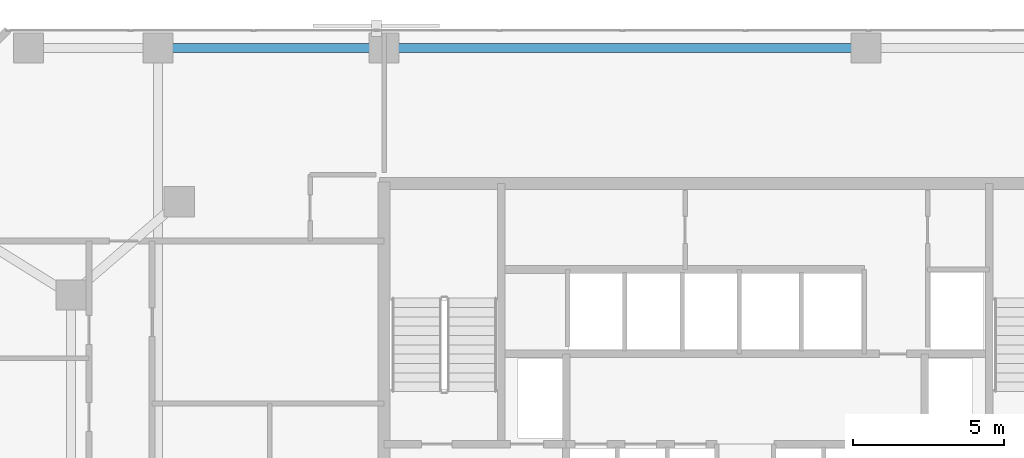
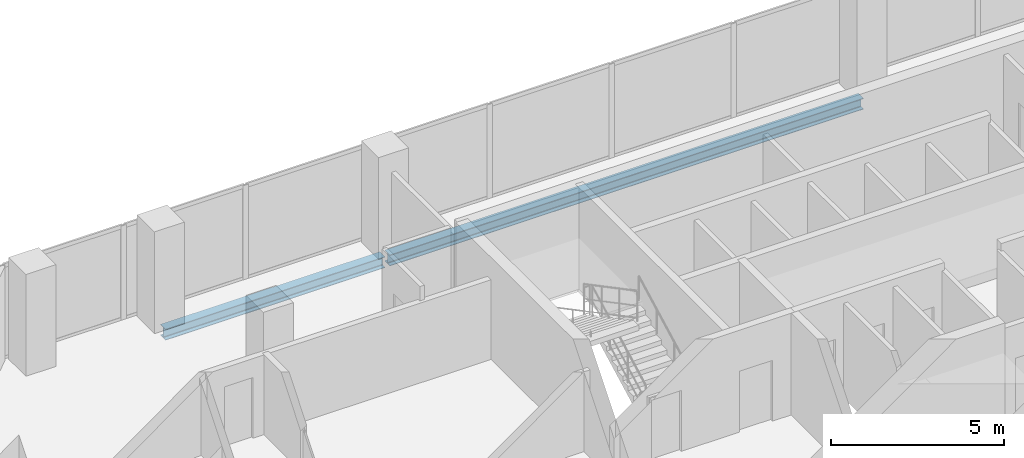
# One storey, part 19 of 31: 2 beams.
"""IFC4 building model written with IfcOpenShell, lengths in metres."""

from ifc_helpers import new_model, si_unit, direction, frame, origin, origin_2d, place, context, subcontext, project, spatial, i_section, extrude, material, material_profile, profile_set, type_object, element, save


model = new_model("IFC4")

# Units and contexts
model_context = context("Model", 3, precision=1e-05, world=origin(), true_north=direction((0.0, 1.0)))
body_context = subcontext(model_context, "Body", "Model", "MODEL_VIEW")
ifc_project = project(units=[si_unit("LENGTHUNIT", "METRE"), si_unit("AREAUNIT", "SQUARE_METRE"), si_unit("VOLUMEUNIT", "CUBIC_METRE"), si_unit("PLANEANGLEUNIT", "RADIAN"), si_unit("MASSUNIT", "GRAM", prefix="KILO")], contexts=[model_context])

# Site, building, storey
site_placement = place(None, origin())
site = spatial("IfcSite", under=ifc_project, at=site_placement, CompositionType="ELEMENT")
building_placement = place(site_placement, origin())
building = spatial("IfcBuilding", under=site, at=building_placement, Name="Catumbela Crestline Tower", CompositionType="ELEMENT")
storey_placement = place(building_placement, frame((0.0, 0.0, 40.2)))
storey = spatial("IfcBuildingStorey", under=building, at=storey_placement, Name="L09", CompositionType="ELEMENT", Elevation=40.2)

# Beams
ifc_material = material(Name="Structural steel S355J2", Category="steel")
ifc_material_profile = material_profile(ifc_material, i_section(OverallWidth=0.3, OverallDepth=0.39, WebThickness=0.011, FlangeThickness=0.019, FilletRadius=0.027, at=origin_2d()), Name="HEA 400")
ifc_profile_set = profile_set([ifc_material_profile], Name="Structural steel S355J2")
beam_type = type_object("IfcBeamType", Name="BS-HEA400", PredefinedType="SPANDREL", material=ifc_profile_set)
beam_1_placement = place(storey_placement, frame((8.58, 47.4, -0.455), z_axis=(1.0, 0.0, 0.0), x_axis=(0.0, 1.0, 0.0)))
element("IfcBeam", 1, at=beam_1_placement, inside=storey, type_object=beam_type, Name="L09 Spandrel SP-L09-NF20", PredefinedType="SPANDREL", context=body_context, shape_type="SweptSolid", body=[
    extrude(i_section(OverallWidth=0.3, OverallDepth=0.39, WebThickness=0.011, FlangeThickness=0.019, FilletRadius=0.027, at=origin_2d()), origin(), (0.0, 0.0, 1.0), 7.34),
])
beam_2_placement = place(storey_placement, frame((16.08, 47.4, -0.455), z_axis=(1.0, 0.0, 0.0), x_axis=(0.0, 1.0, 0.0)))
element("IfcBeam", 2, at=beam_2_placement, inside=storey, type_object=beam_type, Name="L09 Spandrel SP-L09-NF21", PredefinedType="SPANDREL", context=body_context, shape_type="SweptSolid", body=[
    extrude(i_section(OverallWidth=0.3, OverallDepth=0.39, WebThickness=0.011, FlangeThickness=0.019, FilletRadius=0.027, at=origin_2d()), origin(), (0.0, 0.0, 1.0), 15.84),
])

save(model, "model.ifc")
